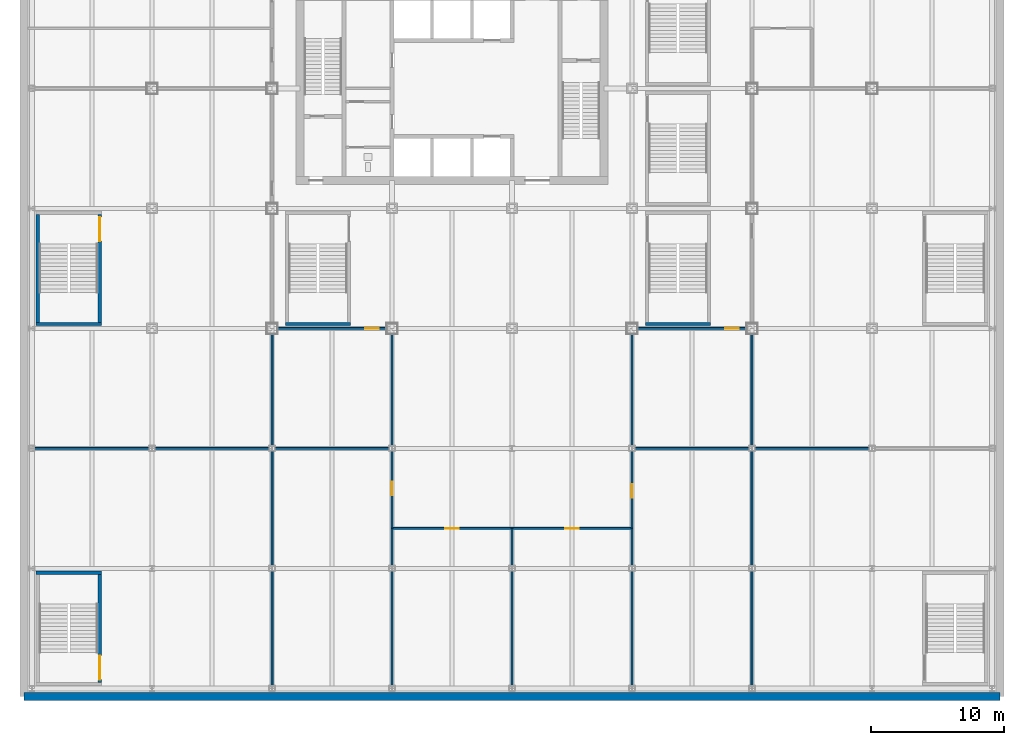
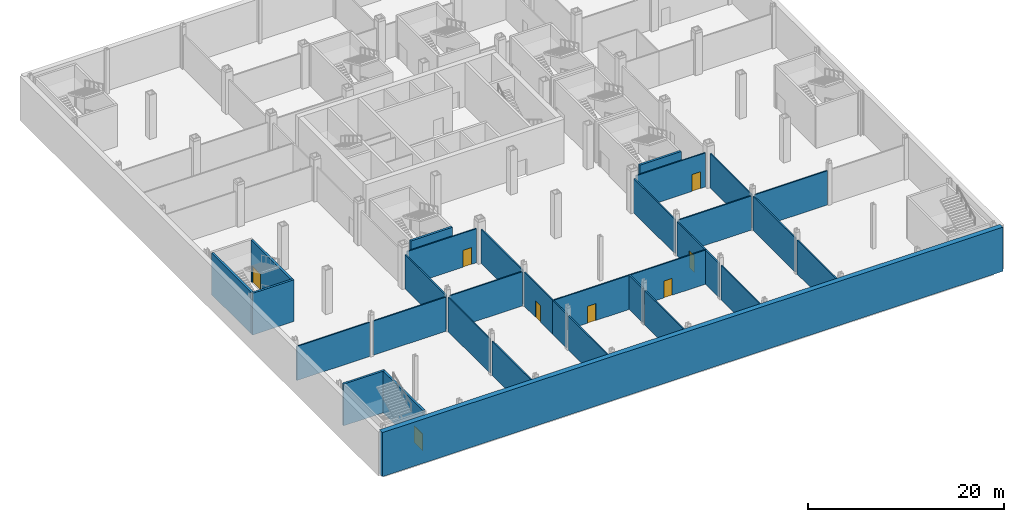
# One storey, part 8 of 27: 33 walls, 8 doors, 8 openings.
"""IFC4 building model written with IfcOpenShell, lengths in metres."""

import ifcopenshell
import ifcopenshell.guid

model = None  # the IFC model being written
_history = None  # IfcOwnerHistory: only IFC2X3 demands one
_inside = {}  # id of a spatial element -> (the spatial element, [elements in it])
_under = {}  # id of a project, library or spatial element -> (it, [spatial elements below it])
_declared = {}  # id of a project -> (the project, [libraries it declares])
_typed = {}  # id of a type object -> (the type object, [elements of that type])
_made_of = {}  # id of a material, layer set ... -> (it, [elements and type objects made of it])


def new_model(schema):
    """Start an empty IFC model of exactly this schema.

    Asked for "IFC4X3", IfcOpenShell would pick the latest addendum, in which some entities
    have other attributes; the version numbers below select the first issue.
    IFC2X3 requires an IfcOwnerHistory on every rooted entity: one is made here for all.
    """
    global model, _history
    if schema == "IFC4X3":
        model = ifcopenshell.file(schema_version=(4, 3, 0, 0))
    else:
        model = ifcopenshell.file(schema=schema)
    _inside.clear()
    _under.clear()
    _declared.clear()
    _typed.clear()
    _made_of.clear()
    _history = None
    if model.schema == "IFC2X3":
        org = make("IfcOrganization", Name="unknown")
        user = make(
            "IfcPersonAndOrganization",
            ThePerson=make("IfcPerson", FamilyName="unknown"),
            TheOrganization=org,
        )
        app = make(
            "IfcApplication",
            ApplicationDeveloper=org,
            Version="unknown",
            ApplicationFullName="unknown",
            ApplicationIdentifier="unknown",
        )
        _history = make(
            "IfcOwnerHistory",
            OwningUser=user,
            OwningApplication=app,
            ChangeAction="ADDED",
            CreationDate=0,
        )
    return model


def make(cls, **values):
    """One entity of the class cls with the attributes given. An attribute that is None is left unset."""
    return model.create_entity(
        cls, **{name: value for name, value in values.items() if value is not None}
    )


def rooted(cls, **values):
    """An entity with a GlobalId (a new one), such as an element, a storey or a relation."""
    return make(cls, GlobalId=ifcopenshell.guid.new(), OwnerHistory=_history, **values)


def si_unit(unit_type, name, prefix=None):
    """IfcSIUnit, for example si_unit("LENGTHUNIT", "METRE", prefix="MILLI")."""
    return make("IfcSIUnit", UnitType=unit_type, Prefix=prefix, Name=name)


def assignment(units):
    """IfcUnitAssignment: the units of a project."""
    return None if units is None else make("IfcUnitAssignment", Units=units)


def point(xyz):
    """IfcCartesianPoint."""
    return None if xyz is None else make("IfcCartesianPoint", Coordinates=xyz)


def direction(xyz):
    """IfcDirection."""
    return None if xyz is None else make("IfcDirection", DirectionRatios=xyz)


def frame(location, z_axis=None, x_axis=None):
    """IfcAxis2Placement3D, a coordinate frame: its origin and axes. An axis left out is left unset."""
    return make(
        "IfcAxis2Placement3D",
        Location=point(location),
        Axis=direction(z_axis),
        RefDirection=direction(x_axis),
    )


def frame_2d(location, x_axis=None):
    """IfcAxis2Placement2D, a coordinate frame in the plane: its origin and x axis."""
    return make(
        "IfcAxis2Placement2D", Location=point(location), RefDirection=direction(x_axis)
    )


def origin():
    """The frame at (0, 0, 0) with its axes left unset."""
    return frame((0.0, 0.0, 0.0))


def place(relative_to, where):
    """IfcLocalPlacement: puts the frame where relative to a parent placement (None: the world)."""
    return make(
        "IfcLocalPlacement", PlacementRelTo=relative_to, RelativePlacement=where
    )


def context(
    kind, dimensions, precision=None, world=None, true_north=None, identifier=None
):
    """IfcGeometricRepresentationContext, for example the 3D "Model" context."""
    return make(
        "IfcGeometricRepresentationContext",
        ContextIdentifier=identifier,
        ContextType=kind,
        CoordinateSpaceDimension=dimensions,
        Precision=precision,
        WorldCoordinateSystem=world,
        TrueNorth=true_north,
    )


def subcontext(parent, identifier, kind, view, scale=None):
    """IfcGeometricRepresentationSubContext, for example "Body" below "Model"."""
    return make(
        "IfcGeometricRepresentationSubContext",
        ContextIdentifier=identifier,
        ContextType=kind,
        ParentContext=parent,
        TargetScale=scale,
        TargetView=view,
    )


def project(units=None, contexts=None):
    """IfcProject with its units and contexts."""
    return rooted(
        "IfcProject",
        Name="project",
        RepresentationContexts=contexts,
        UnitsInContext=assignment(units),
    )


def spatial(cls, under=None, at=None, **own):
    """A site, building, storey or space (cls), placed at a placement, below another one or the project."""
    s = rooted(cls, ObjectPlacement=at, **own)
    if under is not None:
        _under.setdefault(under.id(), (under, []))[1].append(s)
    return s


def profile(cls, at=None, kind="AREA", **sizes):
    """A parametric profile (cls). Its sizes go by their IFC names, for example OverallWidth=200.0."""
    return make(cls, ProfileType=kind, Position=at, **sizes)


def rectangle(**sizes):
    """IfcRectangleProfileDef."""
    return profile("IfcRectangleProfileDef", **sizes)


def extrude(swept, where, along, depth):
    """IfcExtrudedAreaSolid: the profile swept, set in the frame where, extruded along a direction by depth."""
    return make(
        "IfcExtrudedAreaSolid",
        SweptArea=swept,
        Position=where,
        ExtrudedDirection=direction(along),
        Depth=depth,
    )


def shape(context_of_items, identifier, shape_type, items):
    """IfcShapeRepresentation: the items that make up one representation, for example the "Body"."""
    return make(
        "IfcShapeRepresentation",
        ContextOfItems=context_of_items,
        RepresentationIdentifier=identifier,
        RepresentationType=shape_type,
        Items=items,
    )


def material(Name=None, Category=None):
    """IfcMaterial."""
    return make("IfcMaterial", Name=Name, Category=Category)


def layer(
    of_material, thickness, ventilated=None, Name=None, Category=None, Priority=None
):
    """IfcMaterialLayer: one layer of a wall or slab, of a material (None: an air gap)."""
    return make(
        "IfcMaterialLayer",
        Material=of_material,
        LayerThickness=thickness,
        IsVentilated=ventilated,
        Name=Name,
        Category=Category,
        Priority=Priority,
    )


def layer_set(layers, Name=None):
    """IfcMaterialLayerSet."""
    return make("IfcMaterialLayerSet", MaterialLayers=layers, LayerSetName=Name)


def made_of(thing, what):
    """Note that an element or type object is made of a material, layer set ...; save() writes the relation."""
    if what is not None:
        _made_of.setdefault(what.id(), (what, []))[1].append(thing)
    return thing


def type_object(cls, material=None, **own):
    """A type object (cls), such as IfcWallType, which elements share."""
    return made_of(rooted(cls, **own), material)


def element(
    cls,
    number,
    at=None,
    inside=None,
    cuts=None,
    type_object=None,
    material=None,
    context=None,
    identifier="Body",
    shape_type=None,
    held_by="IfcProductDefinitionShape",
    body=None,
    shapes=None,
    **own,
):
    """One element of the class cls, such as IfcWall. Its Tag is "e" and its number.

    at: its placement. inside: the storey or other place that contains it. cuts: it is an
    opening in that element (IfcRelVoidsElement). A single representation is given by context,
    identifier, shape_type and body (its items); several are given by shapes. held_by: the class
    of the entity that holds the representations. save() writes the other relations.
    """
    e = rooted(cls, Tag="e%d" % number, ObjectPlacement=at, **own)
    if body is not None:
        shapes = [shape(context, identifier, shape_type, body)]
    if shapes is not None:
        e.Representation = make(held_by, Representations=shapes)
    if inside is not None:
        _inside.setdefault(inside.id(), (inside, []))[1].append(e)
    if cuts is not None:
        rooted(
            "IfcRelVoidsElement", RelatingBuildingElement=cuts, RelatedOpeningElement=e
        )
    if type_object is not None:
        _typed.setdefault(type_object.id(), (type_object, []))[1].append(e)
    return made_of(e, material)


def fill(opening, filler):
    """IfcRelFillsElement: the door or window that sits in an opening."""
    return rooted(
        "IfcRelFillsElement",
        RelatingOpeningElement=opening,
        RelatedBuildingElement=filler,
    )


def aggregate(whole, parts):
    """IfcRelAggregates: a whole, such as a stair, and the parts it consists of."""
    return rooted("IfcRelAggregates", RelatingObject=whole, RelatedObjects=parts)


def save(model, path):
    """Write the relations noted so far, then the file.

    IfcRelAggregates (storeys below a building ...), IfcRelContainedInSpatialStructure (elements
    in a storey), IfcRelDefinesByType, IfcRelAssociatesMaterial and IfcRelDeclares: one each for
    every whole, place, type object, material and project.
    """
    for whole, parts in _under.values():
        aggregate(whole, parts)
    for where, things in _inside.values():
        rooted(
            "IfcRelContainedInSpatialStructure",
            RelatedElements=things,
            RelatingStructure=where,
        )
    for kind, things in _typed.values():
        rooted("IfcRelDefinesByType", RelatedObjects=things, RelatingType=kind)
    for what, things in _made_of.values():
        rooted("IfcRelAssociatesMaterial", RelatedObjects=things, RelatingMaterial=what)
    for by, libraries in _declared.values():
        rooted("IfcRelDeclares", RelatingContext=by, RelatedDefinitions=libraries)
    model.write(path)


model = new_model("IFC4")

# Units and contexts
model_context = context("Model", 3, precision=1e-05, world=origin(), true_north=direction((0.0, 1.0)))
body_context = subcontext(model_context, "Body", "Model", "MODEL_VIEW")
ifc_project = project(units=[si_unit("LENGTHUNIT", "METRE"), si_unit("AREAUNIT", "SQUARE_METRE"), si_unit("VOLUMEUNIT", "CUBIC_METRE"), si_unit("PLANEANGLEUNIT", "RADIAN"), si_unit("MASSUNIT", "GRAM", prefix="KILO")], contexts=[model_context])

# Site, building, storey
site_placement = place(None, origin())
site = spatial("IfcSite", under=ifc_project, at=site_placement, CompositionType="ELEMENT")
building_placement = place(site_placement, origin())
building = spatial("IfcBuilding", under=site, at=building_placement, Name="Loomwork Tower", CompositionType="ELEMENT")
storey_placement = place(building_placement, frame((0.0, 0.0, -5.5)))
storey = spatial("IfcBuildingStorey", under=building, at=storey_placement, Name="B1", CompositionType="ELEMENT", Elevation=-5.5)

# Walls
ifc_material_1 = material(Name="Concrete 6000 psi (41 MPa)", Category="concrete")
ifc_layer_1 = layer(ifc_material_1, 0.60009765625)
ifc_layer_set_1 = layer_set([ifc_layer_1], Name="Basement retaining wall 600")
wall_type_1 = type_object("IfcWallType", Name="Basement retaining wall 600", PredefinedType="SOLIDWALL", material=ifc_layer_set_1)
wall_1_placement = place(storey_placement, frame((-9.60009765625, -27.60009765625, -0.300048828125), z_axis=(0.0, 0.0, 1.0), x_axis=(1.0, 0.0, 0.0)))
element("IfcWall", 1, at=wall_1_placement, inside=storey, type_object=wall_type_1, Name="Basement retaining wall S", PredefinedType="SOLIDWALL", context=body_context, shape_type="SweptSolid", body=[
    extrude(rectangle(XDim=73.2001953125, YDim=0.60009765625, at=frame_2d((36.60009765625, 0.0))), origin(), (0.0, 0.0, 1.0), 5.5),
])
ifc_material_2 = material(Name="Gypsum board on steel studs, one-hour", Category="steel")
ifc_layer_2 = layer(ifc_material_2, 0.14990234375)
ifc_layer_set_2 = layer_set([ifc_layer_2], Name="Partition 150")
wall_type_2 = type_object("IfcWallType", Name="Partition 150", PredefinedType="PARTITIONING", material=ifc_layer_set_2)
wall_2_placement = place(storey_placement, frame((-8.800537109375, -9.0, 0.0), z_axis=(0.0, 0.0, 1.0), x_axis=(1.0, 0.0, 0.0)))
element("IfcWall", 2, at=wall_2_placement, inside=storey, type_object=wall_type_2, Name="Partition B1 1.1", PredefinedType="PARTITIONING", context=body_context, shape_type="SweptSolid", body=[
    extrude(rectangle(XDim=8.599853515625, YDim=0.14990234375, at=frame_2d((4.2998046875, 0.0))), origin(), (0.0, 0.0, 1.0), 4.252685546875),
])
wall_3_placement = place(storey_placement, frame((0.20068359375, -9.0, 0.0), z_axis=(0.0, 0.0, 1.0), x_axis=(1.0, 0.0, 0.0)))
element("IfcWall", 3, at=wall_3_placement, inside=storey, type_object=wall_type_2, Name="Partition B1 1.2", PredefinedType="PARTITIONING", context=body_context, shape_type="SweptSolid", body=[
    extrude(rectangle(XDim=8.5986328125, YDim=0.14990234375, at=frame_2d((4.29931640625, 0.0))), origin(), (0.0, 0.0, 1.0), 4.252685546875),
])
for number, where, z_axis, x_axis, name in (
    (4, (9.0, -9.199462890625, 0.0), (0.0, 0.0, 1.0), (0.0, -1.0, 0.0), "Partition B1 5.1"),
    (5, (9.0, -18.199462890625, 0.0), (0.0, 0.0, 1.0), (0.0, -1.0, 0.0), "Partition B1 5.2"),
):
    element("IfcWall", number, at=place(storey_placement, frame(where, z_axis=z_axis, x_axis=x_axis)), inside=storey, type_object=wall_type_2, Name=name, PredefinedType="PARTITIONING", context=body_context, shape_type="SweptSolid", body=[
        extrude(rectangle(XDim=8.60107421875, YDim=0.14990234375, at=frame_2d((4.300537109375, 0.0))), origin(), (0.0, 0.0, 1.0), 4.252685546875),
    ])
wall_4_placement = place(storey_placement, frame((9.20068359375, -9.0, 0.0), z_axis=(0.0, 0.0, 1.0), x_axis=(1.0, 0.0, 0.0)))
element("IfcWall", 6, at=wall_4_placement, inside=storey, type_object=wall_type_2, Name="Partition B1 6.1", PredefinedType="PARTITIONING", context=body_context, shape_type="SweptSolid", body=[
    extrude(rectangle(XDim=8.5986328125, YDim=0.14990234375, at=frame_2d((4.29931640625, 0.0))), origin(), (0.0, 0.0, 1.0), 4.252685546875),
])
wall_5_placement = place(storey_placement, frame((9.0, -0.39990234375, 0.0), z_axis=(0.0, 0.0, 1.0), x_axis=(0.0, -1.0, 0.0)))
element("IfcWall", 7, at=wall_5_placement, inside=storey, type_object=wall_type_2, Name="Partition B1 7.1", PredefinedType="PARTITIONING", context=body_context, shape_type="SweptSolid", body=[
    extrude(rectangle(XDim=8.400634765625, YDim=0.14990234375, at=frame_2d((4.2001953125, 0.0))), origin(), (0.0, 0.0, 1.0), 4.252685546875),
])

# Wall, opening, door
wall_6_placement = place(storey_placement, frame((9.39990234375, 0.0, 0.0), z_axis=(0.0, 0.0, 1.0), x_axis=(1.0, 0.0, 0.0)))
wall_6 = element("IfcWall", 8, at=wall_6_placement, inside=storey, type_object=wall_type_2, Name="Partition B1 8.1", PredefinedType="PARTITIONING", context=body_context, shape_type="SweptSolid", body=[
    extrude(rectangle(XDim=8.2001953125, YDim=0.14990234375, at=frame_2d((4.10009765625, 0.0))), origin(), (0.0, 0.0, 1.0), 4.252685546875),
])
opening_1_placement = place(wall_6_placement, frame((6.60009765625, 0.0, 0.0)))
opening_1 = element("IfcOpeningElement", 9, at=opening_1_placement, cuts=wall_6, Name="Opening D7", PredefinedType="OPENING", context=body_context, shape_type="SweptSolid", body=[
    extrude(rectangle(XDim=1.0, YDim=2.10009765625, at=frame_2d((0.5, 1.050048828125))), frame((0.0, 0.0849609375, 0.0), z_axis=(0.0, -1.0, 0.0), x_axis=(1.0, 0.0, 0.0)), (0.0, 0.0, 1.0), 0.169921875),
])
ifc_material_3 = material(Name="Hollow metal door and frame")
door_type_1 = type_object("IfcDoorType", Name="Room door 1000", OperationType="SINGLE_SWING_LEFT", PredefinedType="DOOR", material=ifc_material_3)
door_1_placement = place(opening_1_placement, origin())
door_1 = element("IfcDoor", 10, at=door_1_placement, inside=storey, type_object=door_type_1, Name="Coffee shop door", OperationType="SINGLE_SWING_RIGHT", OverallHeight=2.10009765625, OverallWidth=1.0, PredefinedType="DOOR", context=body_context, shape_type="SweptSolid", body=[
    extrude(rectangle(XDim=1.0, YDim=2.10009765625, at=frame_2d((0.5, 1.050048828125))), frame((0.0, 0.02490234375, 0.0), z_axis=(0.0, -1.0, 0.0), x_axis=(1.0, 0.0, 0.0)), (0.0, 0.0, 1.0), 0.050048828125),
])
fill(opening_1, door_1)

# Walls
wall_7_placement = place(storey_placement, frame((18.0, -15.0, 0.0), z_axis=(0.0, 0.0, 1.0), x_axis=(0.0, -1.0, 0.0)))
element("IfcWall", 11, at=wall_7_placement, inside=storey, type_object=wall_type_2, Name="Partition B1 16.1", PredefinedType="PARTITIONING", context=body_context, shape_type="SweptSolid", body=[
    extrude(rectangle(XDim=2.800537109375, YDim=0.14990234375, at=frame_2d((1.400390625, 0.0))), origin(), (0.0, 0.0, 1.0), 4.252685546875),
])
wall_8_placement = place(storey_placement, frame((18.0, -18.199462890625, 0.0), z_axis=(0.0, 0.0, 1.0), x_axis=(0.0, -1.0, 0.0)))
element("IfcWall", 12, at=wall_8_placement, inside=storey, type_object=wall_type_2, Name="Partition B1 16.2", PredefinedType="PARTITIONING", context=body_context, shape_type="SweptSolid", body=[
    extrude(rectangle(XDim=8.60107421875, YDim=0.14990234375, at=frame_2d((4.300537109375, 0.0))), origin(), (0.0, 0.0, 1.0), 4.252685546875),
])

# Wall, opening, door
wall_9_placement = place(storey_placement, frame((18.0, -15.0, 0.0), z_axis=(0.0, 0.0, 1.0), x_axis=(1.0, 0.0, 0.0)))
wall_9 = element("IfcWall", 13, at=wall_9_placement, inside=storey, type_object=wall_type_2, Name="Partition B1 17.1", PredefinedType="PARTITIONING", context=body_context, shape_type="SweptSolid", body=[
    extrude(rectangle(XDim=9.0, YDim=0.14990234375, at=frame_2d((4.5, 0.0))), origin(), (0.0, 0.0, 1.0), 4.251953125),
])
opening_2_placement = place(wall_9_placement, frame((4.0, 0.0, 0.0)))
opening_2 = element("IfcOpeningElement", 14, at=opening_2_placement, cuts=wall_9, Name="Opening D7", PredefinedType="OPENING", context=body_context, shape_type="SweptSolid", body=[
    extrude(rectangle(XDim=1.0, YDim=2.10009765625, at=frame_2d((0.5, 1.050048828125))), frame((0.0, 0.0849609375, 0.0), z_axis=(0.0, -1.0, 0.0), x_axis=(1.0, 0.0, 0.0)), (0.0, 0.0, 1.0), 0.169921875),
])
door_2_placement = place(opening_2_placement, frame((1.0, 0.0, 0.0), z_axis=(0.0, 0.0, 1.0), x_axis=(-1.0, 0.0, 0.0)))
door_2 = element("IfcDoor", 15, at=door_2_placement, inside=storey, type_object=door_type_1, Name="Retail unit B1-09 door", OperationType="SINGLE_SWING_RIGHT", OverallHeight=2.10009765625, OverallWidth=1.0, PredefinedType="DOOR", context=body_context, shape_type="SweptSolid", body=[
    extrude(rectangle(XDim=1.0, YDim=2.10009765625, at=frame_2d((0.5, 1.050048828125))), frame((0.0, 0.02490234375, 0.0), z_axis=(0.0, -1.0, 0.0), x_axis=(1.0, 0.0, 0.0)), (0.0, 0.0, 1.0), 0.050048828125),
])
fill(opening_2, door_2)

wall_10_placement = place(storey_placement, frame((18.0, -9.199462890625, 0.0), z_axis=(0.0, 0.0, 1.0), x_axis=(0.0, -1.0, 0.0)))
wall_10 = element("IfcWall", 16, at=wall_10_placement, inside=storey, type_object=wall_type_2, Name="Partition B1 18.1", PredefinedType="PARTITIONING", context=body_context, shape_type="SweptSolid", body=[
    extrude(rectangle(XDim=5.800537109375, YDim=0.14990234375, at=frame_2d((2.900390625, 0.0))), origin(), (0.0, 0.0, 1.0), 4.252685546875),
])
opening_3_placement = place(wall_10_placement, frame((2.300537109375, 0.0, 0.0)))
opening_3 = element("IfcOpeningElement", 17, at=opening_3_placement, cuts=wall_10, Name="Opening D7", PredefinedType="OPENING", context=body_context, shape_type="SweptSolid", body=[
    extrude(rectangle(XDim=1.0, YDim=2.10009765625, at=frame_2d((0.5, 1.050048828125))), frame((0.0, 0.0849609375, 0.0), z_axis=(0.0, -1.0, 0.0), x_axis=(1.0, 0.0, 0.0)), (0.0, 0.0, 1.0), 0.169921875),
])
door_3_placement = place(opening_3_placement, origin())
door_3 = element("IfcDoor", 18, at=door_3_placement, inside=storey, type_object=door_type_1, Name="Retail unit B1-05 door", OperationType="SINGLE_SWING_RIGHT", OverallHeight=2.10009765625, OverallWidth=1.0, PredefinedType="DOOR", context=body_context, shape_type="SweptSolid", body=[
    extrude(rectangle(XDim=1.0, YDim=2.10009765625, at=frame_2d((0.5, 1.050048828125))), frame((0.0, 0.02490234375, 0.0), z_axis=(0.0, -1.0, 0.0), x_axis=(1.0, 0.0, 0.0)), (0.0, 0.0, 1.0), 0.050048828125),
])
fill(opening_3, door_3)

# Walls
wall_11_placement = place(storey_placement, frame((18.0, -0.39990234375, 0.0), z_axis=(0.0, 0.0, 1.0), x_axis=(0.0, -1.0, 0.0)))
element("IfcWall", 19, at=wall_11_placement, inside=storey, type_object=wall_type_2, Name="Partition B1 19.1", PredefinedType="PARTITIONING", context=body_context, shape_type="SweptSolid", body=[
    extrude(rectangle(XDim=8.400634765625, YDim=0.14990234375, at=frame_2d((4.2001953125, 0.0))), origin(), (0.0, 0.0, 1.0), 4.252685546875),
])
wall_12_placement = place(storey_placement, frame((27.0, -15.0, 0.0), z_axis=(0.0, 0.0, 1.0), x_axis=(0.0, -1.0, 0.0)))
element("IfcWall", 20, at=wall_12_placement, inside=storey, type_object=wall_type_2, Name="Partition B1 20.1", PredefinedType="PARTITIONING", context=body_context, shape_type="SweptSolid", body=[
    extrude(rectangle(XDim=2.800537109375, YDim=0.14990234375, at=frame_2d((1.400390625, 0.0))), origin(), (0.0, 0.0, 1.0), 4.252685546875),
])
wall_13_placement = place(storey_placement, frame((27.0, -18.199462890625, 0.0), z_axis=(0.0, 0.0, 1.0), x_axis=(0.0, -1.0, 0.0)))
element("IfcWall", 21, at=wall_13_placement, inside=storey, type_object=wall_type_2, Name="Partition B1 20.2", PredefinedType="PARTITIONING", context=body_context, shape_type="SweptSolid", body=[
    extrude(rectangle(XDim=8.60107421875, YDim=0.14990234375, at=frame_2d((4.300537109375, 0.0))), origin(), (0.0, 0.0, 1.0), 4.252685546875),
])

# Wall, opening, door
wall_14_placement = place(storey_placement, frame((27.0, -15.0, 0.0), z_axis=(0.0, 0.0, 1.0), x_axis=(1.0, 0.0, 0.0)))
wall_14 = element("IfcWall", 22, at=wall_14_placement, inside=storey, type_object=wall_type_2, Name="Partition B1 21.1", PredefinedType="PARTITIONING", context=body_context, shape_type="SweptSolid", body=[
    extrude(rectangle(XDim=9.0, YDim=0.14990234375, at=frame_2d((4.5, 0.0))), origin(), (0.0, 0.0, 1.0), 4.251953125),
])
opening_4_placement = place(wall_14_placement, frame((4.0, 0.0, 0.0)))
opening_4 = element("IfcOpeningElement", 23, at=opening_4_placement, cuts=wall_14, Name="Opening D7", PredefinedType="OPENING", context=body_context, shape_type="SweptSolid", body=[
    extrude(rectangle(XDim=1.0, YDim=2.10009765625, at=frame_2d((0.5, 1.050048828125))), frame((0.0, 0.0849609375, 0.0), z_axis=(0.0, -1.0, 0.0), x_axis=(1.0, 0.0, 0.0)), (0.0, 0.0, 1.0), 0.169921875),
])
door_4_placement = place(opening_4_placement, frame((1.0, 0.0, 0.0), z_axis=(0.0, 0.0, 1.0), x_axis=(-1.0, 0.0, 0.0)))
door_4 = element("IfcDoor", 24, at=door_4_placement, inside=storey, type_object=door_type_1, Name="Retail unit B1-10 door", OperationType="SINGLE_SWING_RIGHT", OverallHeight=2.10009765625, OverallWidth=1.0, PredefinedType="DOOR", context=body_context, shape_type="SweptSolid", body=[
    extrude(rectangle(XDim=1.0, YDim=2.10009765625, at=frame_2d((0.5, 1.050048828125))), frame((0.0, 0.02490234375, 0.0), z_axis=(0.0, -1.0, 0.0), x_axis=(1.0, 0.0, 0.0)), (0.0, 0.0, 1.0), 0.050048828125),
])
fill(opening_4, door_4)

# Walls
wall_15_placement = place(storey_placement, frame((36.0, -26.800537109375, 0.0), z_axis=(0.0, 0.0, 1.0), x_axis=(0.0, 1.0, 0.0)))
element("IfcWall", 25, at=wall_15_placement, inside=storey, type_object=wall_type_2, Name="Partition B1 25.1", PredefinedType="PARTITIONING", context=body_context, shape_type="SweptSolid", body=[
    extrude(rectangle(XDim=8.60107421875, YDim=0.14990234375, at=frame_2d((4.300537109375, 0.0))), origin(), (0.0, 0.0, 1.0), 4.252685546875),
])
wall_16_placement = place(storey_placement, frame((36.0, -17.800537109375, 0.0), z_axis=(0.0, 0.0, 1.0), x_axis=(0.0, 1.0, 0.0)))
element("IfcWall", 26, at=wall_16_placement, inside=storey, type_object=wall_type_2, Name="Partition B1 25.2", PredefinedType="PARTITIONING", context=body_context, shape_type="SweptSolid", body=[
    extrude(rectangle(XDim=2.800537109375, YDim=0.14990234375, at=frame_2d((1.400390625, 0.0))), origin(), (0.0, 0.0, 1.0), 4.252685546875),
])

# Wall, opening, door
wall_17_placement = place(storey_placement, frame((36.0, -15.0, 0.0), z_axis=(0.0, 0.0, 1.0), x_axis=(0.0, 1.0, 0.0)))
wall_17 = element("IfcWall", 27, at=wall_17_placement, inside=storey, type_object=wall_type_2, Name="Partition B1 26.1", PredefinedType="PARTITIONING", context=body_context, shape_type="SweptSolid", body=[
    extrude(rectangle(XDim=5.800537109375, YDim=0.14990234375, at=frame_2d((2.900390625, 0.0))), origin(), (0.0, 0.0, 1.0), 4.252685546875),
])
opening_5_placement = place(wall_17_placement, frame((2.300048828125, 0.0, 0.0)))
opening_5 = element("IfcOpeningElement", 28, at=opening_5_placement, cuts=wall_17, Name="Opening D7", PredefinedType="OPENING", context=body_context, shape_type="SweptSolid", body=[
    extrude(rectangle(XDim=1.0, YDim=2.10009765625, at=frame_2d((0.5, 1.050048828125))), frame((0.0, 0.0849609375, 0.0), z_axis=(0.0, -1.0, 0.0), x_axis=(1.0, 0.0, 0.0)), (0.0, 0.0, 1.0), 0.169921875),
])
door_5_placement = place(opening_5_placement, origin())
door_5 = element("IfcDoor", 29, at=door_5_placement, inside=storey, type_object=door_type_1, Name="Retail unit B1-06 door", OperationType="SINGLE_SWING_LEFT", OverallHeight=2.10009765625, OverallWidth=1.0, PredefinedType="DOOR", context=body_context, shape_type="SweptSolid", body=[
    extrude(rectangle(XDim=1.0, YDim=2.10009765625, at=frame_2d((0.5, 1.050048828125))), frame((0.0, 0.02490234375, 0.0), z_axis=(0.0, -1.0, 0.0), x_axis=(1.0, 0.0, 0.0)), (0.0, 0.0, 1.0), 0.050048828125),
])
fill(opening_5, door_5)

# Walls
wall_18_placement = place(storey_placement, frame((36.20068359375, -9.0, 0.0), z_axis=(0.0, 0.0, 1.0), x_axis=(1.0, 0.0, 0.0)))
element("IfcWall", 30, at=wall_18_placement, inside=storey, type_object=wall_type_2, Name="Partition B1 27.1", PredefinedType="PARTITIONING", context=body_context, shape_type="SweptSolid", body=[
    extrude(rectangle(XDim=8.5986328125, YDim=0.14990234375, at=frame_2d((4.29931640625, 0.0))), origin(), (0.0, 0.0, 1.0), 4.252685546875),
])
wall_19_placement = place(storey_placement, frame((36.0, -8.800537109375, 0.0), z_axis=(0.0, 0.0, 1.0), x_axis=(0.0, 1.0, 0.0)))
element("IfcWall", 31, at=wall_19_placement, inside=storey, type_object=wall_type_2, Name="Partition B1 28.1", PredefinedType="PARTITIONING", context=body_context, shape_type="SweptSolid", body=[
    extrude(rectangle(XDim=8.400634765625, YDim=0.14990234375, at=frame_2d((4.2001953125, 0.0))), origin(), (0.0, 0.0, 1.0), 4.252685546875),
])

# Wall, opening, door
wall_20_placement = place(storey_placement, frame((36.39990234375, 0.0, 0.0), z_axis=(0.0, 0.0, 1.0), x_axis=(1.0, 0.0, 0.0)))
wall_20 = element("IfcWall", 32, at=wall_20_placement, inside=storey, type_object=wall_type_2, Name="Partition B1 29.1", PredefinedType="PARTITIONING", context=body_context, shape_type="SweptSolid", body=[
    extrude(rectangle(XDim=8.2001953125, YDim=0.14990234375, at=frame_2d((4.10009765625, 0.0))), origin(), (0.0, 0.0, 1.0), 4.252685546875),
])
opening_6_placement = place(wall_20_placement, frame((6.60009765625, 0.0, 0.0)))
opening_6 = element("IfcOpeningElement", 33, at=opening_6_placement, cuts=wall_20, Name="Opening D7", PredefinedType="OPENING", context=body_context, shape_type="SweptSolid", body=[
    extrude(rectangle(XDim=1.0, YDim=2.10009765625, at=frame_2d((0.5, 1.050048828125))), frame((0.0, 0.0849609375, 0.0), z_axis=(0.0, -1.0, 0.0), x_axis=(1.0, 0.0, 0.0)), (0.0, 0.0, 1.0), 0.169921875),
])
door_6_placement = place(opening_6_placement, frame((1.0, 0.0, 0.0), z_axis=(0.0, 0.0, 1.0), x_axis=(-1.0, 0.0, 0.0)))
door_6 = element("IfcDoor", 34, at=door_6_placement, inside=storey, type_object=door_type_1, Name="Newsagent kiosk door", OperationType="SINGLE_SWING_LEFT", OverallHeight=2.10009765625, OverallWidth=1.0, PredefinedType="DOOR", context=body_context, shape_type="SweptSolid", body=[
    extrude(rectangle(XDim=1.0, YDim=2.10009765625, at=frame_2d((0.5, 1.050048828125))), frame((0.0, 0.02490234375, 0.0), z_axis=(0.0, -1.0, 0.0), x_axis=(1.0, 0.0, 0.0)), (0.0, 0.0, 1.0), 0.050048828125),
])
fill(opening_6, door_6)

# Walls
wall_21_placement = place(storey_placement, frame((45.0, -26.787841796875, 0.0), z_axis=(0.0, 0.0, 1.0), x_axis=(0.0, 1.0, 0.0)))
element("IfcWall", 35, at=wall_21_placement, inside=storey, type_object=wall_type_2, Name="Partition B1 32.1", PredefinedType="PARTITIONING", context=body_context, shape_type="SweptSolid", body=[
    extrude(rectangle(XDim=8.58837890625, YDim=0.14990234375, at=frame_2d((4.294189453125, 0.0))), origin(), (0.0, 0.0, 1.0), 4.252685546875),
])
wall_22_placement = place(storey_placement, frame((45.0, -17.800537109375, 0.0), z_axis=(0.0, 0.0, 1.0), x_axis=(0.0, 1.0, 0.0)))
element("IfcWall", 36, at=wall_22_placement, inside=storey, type_object=wall_type_2, Name="Partition B1 32.2", PredefinedType="PARTITIONING", context=body_context, shape_type="SweptSolid", body=[
    extrude(rectangle(XDim=8.60107421875, YDim=0.14990234375, at=frame_2d((4.300537109375, 0.0))), origin(), (0.0, 0.0, 1.0), 4.252685546875),
])
wall_23_placement = place(storey_placement, frame((45.20068359375, -9.0, 0.0), z_axis=(0.0, 0.0, 1.0), x_axis=(1.0, 0.0, 0.0)))
element("IfcWall", 37, at=wall_23_placement, inside=storey, type_object=wall_type_2, Name="Partition B1 33.1", PredefinedType="PARTITIONING", context=body_context, shape_type="SweptSolid", body=[
    extrude(rectangle(XDim=8.5986328125, YDim=0.14990234375, at=frame_2d((4.29931640625, 0.0))), origin(), (0.0, 0.0, 1.0), 4.252685546875),
])
wall_24_placement = place(storey_placement, frame((45.0, -8.800537109375, 0.0), z_axis=(0.0, 0.0, 1.0), x_axis=(0.0, 1.0, 0.0)))
element("IfcWall", 38, at=wall_24_placement, inside=storey, type_object=wall_type_2, Name="Partition B1 34.1", PredefinedType="PARTITIONING", context=body_context, shape_type="SweptSolid", body=[
    extrude(rectangle(XDim=8.400634765625, YDim=0.14990234375, at=frame_2d((4.2001953125, 0.0))), origin(), (0.0, 0.0, 1.0), 4.252685546875),
])
ifc_material_4 = material(Name="Concrete masonry, two-hour", Category="masonry")
ifc_layer_3 = layer(ifc_material_4, 0.25)
ifc_layer_set_3 = layer_set([ifc_layer_3], Name="Stair enclosure wall 250")
wall_type_3 = type_object("IfcWallType", Name="Stair enclosure wall 250", PredefinedType="SOLIDWALL", material=ifc_layer_set_3)
wall_25_placement = place(storey_placement, frame((-8.699951171875, -18.324951171875, 0.0), z_axis=(0.0, 0.0, 1.0), x_axis=(1.0, 0.0, 0.0)))
element("IfcWall", 39, at=wall_25_placement, inside=storey, type_object=wall_type_3, Name="Stair PS1 enclosure wall N B1", PredefinedType="SOLIDWALL", context=body_context, shape_type="SweptSolid", body=[
    extrude(rectangle(XDim=4.89990234375, YDim=0.25, at=frame_2d((2.449951171875, 0.0))), origin(), (0.0, 0.0, 1.0), 5.199951171875),
])

# Wall, opening, door
wall_26_placement = place(storey_placement, frame((-3.925048828125, -26.550048828125, 0.0), z_axis=(0.0, 0.0, 1.0), x_axis=(0.0, 1.0, 0.0)))
wall_26 = element("IfcWall", 40, at=wall_26_placement, inside=storey, type_object=wall_type_3, Name="Stair PS1 enclosure wall E B1", PredefinedType="SOLIDWALL", context=body_context, shape_type="SweptSolid", body=[
    extrude(rectangle(XDim=8.10009765625, YDim=0.25, at=frame_2d((4.050048828125, 0.0))), origin(), (0.0, 0.0, 1.0), 5.199951171875),
])
opening_7_placement = place(wall_26_placement, frame((0.199951171875, 0.0, 0.0)))
opening_7 = element("IfcOpeningElement", 41, at=opening_7_placement, cuts=wall_26, Name="Opening D14", PredefinedType="OPENING", context=body_context, shape_type="SweptSolid", body=[
    extrude(rectangle(XDim=1.800048828125, YDim=2.10009765625, at=frame_2d((0.89990234375, 1.050048828125))), frame((0.0, 0.135009765625, 0.0), z_axis=(0.0, -1.0, 0.0), x_axis=(1.0, 0.0, 0.0)), (0.0, 0.0, 1.0), 0.27001953125),
])
ifc_material_5 = material(Name="Hollow metal door and frame")
door_type_2 = type_object("IfcDoorType", Name="Stair double door 1800", OperationType="DOUBLE_DOOR_SINGLE_SWING", PredefinedType="DOOR", material=ifc_material_5)
door_7_placement = place(opening_7_placement, origin())
door_7 = element("IfcDoor", 42, at=door_7_placement, inside=storey, type_object=door_type_2, Name="Stair PS1 door B1", OperationType="DOUBLE_DOOR_SINGLE_SWING", OverallHeight=2.10009765625, OverallWidth=1.800048828125, PredefinedType="DOOR", context=body_context, shape_type="SweptSolid", body=[
    extrude(rectangle(XDim=1.800048828125, YDim=2.10009765625, at=frame_2d((0.89990234375, 1.050048828125))), frame((0.0, 0.02490234375, 0.0), z_axis=(0.0, -1.0, 0.0), x_axis=(1.0, 0.0, 0.0)), (0.0, 0.0, 1.0), 0.050048828125),
])
fill(opening_7, door_7)

# Walls
wall_27_placement = place(storey_placement, frame((-8.699951171875, 0.324951171875, 0.0), z_axis=(0.0, 0.0, 1.0), x_axis=(1.0, 0.0, 0.0)))
element("IfcWall", 43, at=wall_27_placement, inside=storey, type_object=wall_type_3, Name="Stair PS5 enclosure wall S B1", PredefinedType="SOLIDWALL", context=body_context, shape_type="SweptSolid", body=[
    extrude(rectangle(XDim=4.89990234375, YDim=0.25, at=frame_2d((2.449951171875, 0.0))), origin(), (0.0, 0.0, 1.0), 5.199951171875),
])
wall_28_placement = place(storey_placement, frame((-8.574951171875, 0.449951171875, 0.0), z_axis=(0.0, 0.0, 1.0), x_axis=(0.0, 1.0, 0.0)))
element("IfcWall", 44, at=wall_28_placement, inside=storey, type_object=wall_type_3, Name="Stair PS5 enclosure wall W B1", PredefinedType="SOLIDWALL", context=body_context, shape_type="SweptSolid", body=[
    extrude(rectangle(XDim=8.10009765625, YDim=0.25, at=frame_2d((4.050048828125, 0.0))), origin(), (0.0, 0.0, 1.0), 5.199951171875),
])

# Wall, opening, door
wall_29_placement = place(storey_placement, frame((-3.925048828125, 0.449951171875, 0.0), z_axis=(0.0, 0.0, 1.0), x_axis=(0.0, 1.0, 0.0)))
wall_29 = element("IfcWall", 45, at=wall_29_placement, inside=storey, type_object=wall_type_3, Name="Stair PS5 enclosure wall E B1", PredefinedType="SOLIDWALL", context=body_context, shape_type="SweptSolid", body=[
    extrude(rectangle(XDim=8.10009765625, YDim=0.25, at=frame_2d((4.050048828125, 0.0))), origin(), (0.0, 0.0, 1.0), 5.199951171875),
])
opening_8_placement = place(wall_29_placement, frame((6.10009765625, 0.0, 0.0)))
opening_8 = element("IfcOpeningElement", 46, at=opening_8_placement, cuts=wall_29, Name="Opening D14", PredefinedType="OPENING", context=body_context, shape_type="SweptSolid", body=[
    extrude(rectangle(XDim=1.800048828125, YDim=2.10009765625, at=frame_2d((0.89990234375, 1.050048828125))), frame((0.0, 0.135009765625, 0.0), z_axis=(0.0, -1.0, 0.0), x_axis=(1.0, 0.0, 0.0)), (0.0, 0.0, 1.0), 0.27001953125),
])
door_8_placement = place(opening_8_placement, origin())
door_8 = element("IfcDoor", 47, at=door_8_placement, inside=storey, type_object=door_type_2, Name="Stair PS5 door B1", OperationType="DOUBLE_DOOR_SINGLE_SWING", OverallHeight=2.10009765625, OverallWidth=1.800048828125, PredefinedType="DOOR", context=body_context, shape_type="SweptSolid", body=[
    extrude(rectangle(XDim=1.800048828125, YDim=2.10009765625, at=frame_2d((0.89990234375, 1.050048828125))), frame((0.0, 0.02490234375, 0.0), z_axis=(0.0, -1.0, 0.0), x_axis=(1.0, 0.0, 0.0)), (0.0, 0.0, 1.0), 0.050048828125),
])
fill(opening_8, door_8)

# Walls
for number, where, z_axis, x_axis, name in (
    (48, (37.0, 0.324951171875, 0.0), (0.0, 0.0, 1.0), (1.0, 0.0, 0.0), "Stair PS7 enclosure wall S B1"),
    (49, (10.0, 0.324951171875, 0.0), (0.0, 0.0, 1.0), (1.0, 0.0, 0.0), "Stair PS12 enclosure wall S B1"),
):
    element("IfcWall", number, at=place(storey_placement, frame(where, z_axis=z_axis, x_axis=x_axis)), inside=storey, type_object=wall_type_3, Name=name, PredefinedType="SOLIDWALL", context=body_context, shape_type="SweptSolid", body=[
        extrude(rectangle(XDim=4.89990234375, YDim=0.25, at=frame_2d((2.449951171875, 0.0))), origin(), (0.0, 0.0, 1.0), 5.199951171875),
    ])

save(model, "model.ifc")
